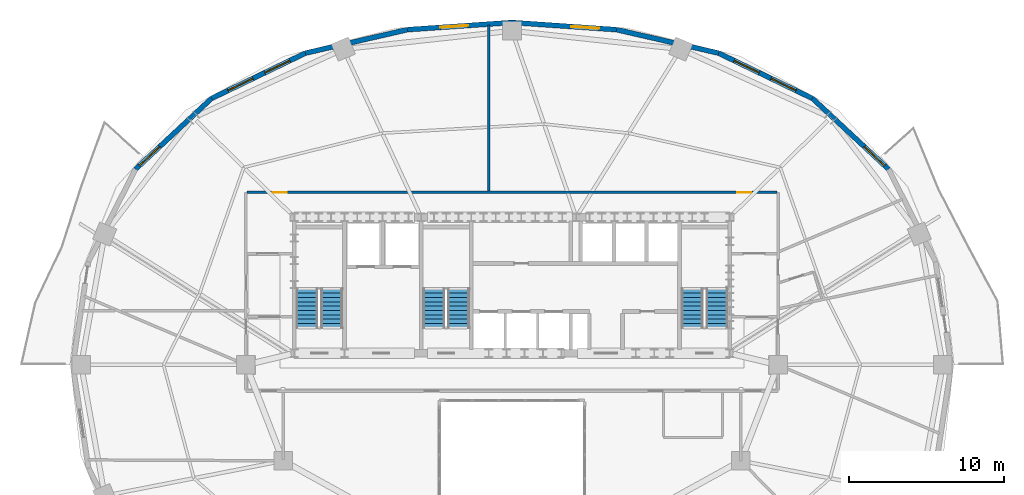
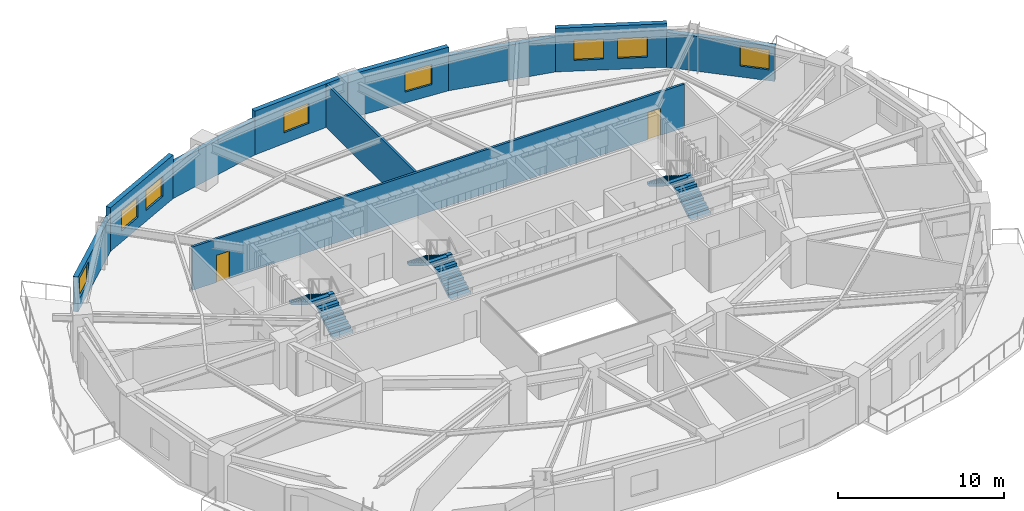
# One storey, part 9 of 12: 10 walls, 8 windows, 6 stair flights, 2 doors, 10 openings, 3 elements without a shape of their own.
"""IFC4 building model written with IfcOpenShell, lengths in metres."""

from ifc_helpers import new_model, si_unit, direction, frame, frame_2d, origin, place, context, subcontext, project, spatial, polyline, rectangle, outline, extrude, material, layer, layer_set, type_object, element, fill, aggregate, save


model = new_model("IFC4")

# Units and contexts
model_context = context("Model", 3, precision=1e-05, world=origin(), true_north=direction((0.0, 1.0)))
body_context = subcontext(model_context, "Body", "Model", "MODEL_VIEW")
ifc_project = project(units=[si_unit("LENGTHUNIT", "METRE"), si_unit("AREAUNIT", "SQUARE_METRE"), si_unit("VOLUMEUNIT", "CUBIC_METRE"), si_unit("PLANEANGLEUNIT", "RADIAN"), si_unit("MASSUNIT", "GRAM", prefix="KILO")], contexts=[model_context])

# Site, building, storey
site_placement = place(None, origin())
site = spatial("IfcSite", under=ifc_project, at=site_placement, CompositionType="ELEMENT")
building_placement = place(site_placement, origin())
building = spatial("IfcBuilding", under=site, at=building_placement, Name="Haldorwick Loom Tower", CompositionType="ELEMENT")
storey_placement = place(building_placement, frame((0.0, 0.0, 117.35009765625)))
storey = spatial("IfcBuildingStorey", under=building, at=storey_placement, Name="L31", CompositionType="ELEMENT", Elevation=117.35009765625)

# Wall, opening, window
ifc_material_1 = material(Name="Pressed Clay Face Brick and Insulated Masonry Backup Assembly", Category="masonry")
ifc_layer_1 = layer(ifc_material_1, 0.320068359375, Name="Pressed Clay Face Brick and Insulated Masonry Backup Assembly", Category="masonry")
ifc_layer_set_1 = layer_set([ifc_layer_1], Name="Pressed Clay Face Brick and Insulated Masonry Backup Assembly")
wall_type_1 = type_object("IfcWallType", Name="ARC-WL-EXT320", PredefinedType="STANDARD", material=ifc_layer_set_1)
wall_1_placement = place(storey_placement, frame((60.338623046875, 38.655517578125, 0.0), z_axis=(0.0, 0.0, 1.0), x_axis=(-0.732137360086, 0.681157020052, 0.0)))
wall_1 = element("IfcWall", 1, at=wall_1_placement, inside=storey, type_object=wall_type_1, Name="L31 Brick Pier and Spandrel Wall 3", PredefinedType="STANDARD", context=body_context, shape_type="SweptSolid", body=[
    extrude(rectangle(XDim=6.709228515625, YDim=0.320068359375, at=frame_2d((3.3544921875, 0.0))), origin(), (0.0, 0.0, 1.0), 2.56884765625),
])
opening_1_placement = place(wall_1_placement, frame((0.340087890625, 0.0, 0.800048828125)))
opening_1 = element("IfcOpeningElement", 2, at=opening_1_placement, cuts=wall_1, Name="Opening W-01", PredefinedType="OPENING", context=body_context, shape_type="SweptSolid", body=[
    extrude(rectangle(XDim=1.800048828125, YDim=1.47998046875, at=frame_2d((0.89990234375, 0.739990234375))), frame((0.0, 0.169921875, 0.0), z_axis=(0.0, -1.0, 0.0), x_axis=(1.0, 0.0, 0.0)), (0.0, 0.0, 1.0), 0.340087890625),
])
ifc_material_2 = material(Name="Triple-Glazed Low-E Argon Insulated Glazing Unit", Category="glass")
window_type = type_object("IfcWindowType", Name="ARC-WIN-W180", PartitioningType="SINGLE_PANEL", PredefinedType="WINDOW", material=ifc_material_2)
window_1_placement = place(opening_1_placement, origin())
window_1 = element("IfcWindow", 3, at=window_1_placement, inside=storey, type_object=window_type, Name="L31 Deep-Set Zone 7A Window 3", OverallHeight=1.47998046875, OverallWidth=1.800048828125, PartitioningType="SINGLE_PANEL", PredefinedType="WINDOW", context=body_context, shape_type="SweptSolid", body=[
    extrude(rectangle(XDim=1.800048828125, YDim=1.47998046875, at=frame_2d((0.89990234375, 0.739990234375))), frame((0.0, 0.030029296875, 0.0), z_axis=(0.0, -1.0, 0.0), x_axis=(1.0, 0.0, 0.0)), (0.0, 0.0, 1.0), 0.06005859375),
])
fill(opening_1, window_1)

# Wall, openings, windows
wall_2_placement = place(storey_placement, frame((55.426513671875, 43.2255859375, 0.0), z_axis=(0.0, 0.0, 1.0), x_axis=(-0.900510094661, 0.434835106004, 0.0)))
wall_2 = element("IfcWall", 4, at=wall_2_placement, inside=storey, type_object=wall_type_1, Name="L31 Brick Pier and Spandrel Wall 4", PredefinedType="STANDARD", context=body_context, shape_type="SweptSolid", body=[
    extrude(rectangle(XDim=6.744873046875, YDim=0.320068359375, at=frame_2d((3.37255859375, 0.0))), origin(), (0.0, 0.0, 1.0), 3.2099609375),
])
opening_2_placement = place(wall_2_placement, frame((1.180908203125, 0.0, 0.800048828125)))
opening_2 = element("IfcOpeningElement", 5, at=opening_2_placement, cuts=wall_2, Name="Opening W-01", PredefinedType="OPENING", context=body_context, shape_type="SweptSolid", body=[
    extrude(rectangle(XDim=1.800048828125, YDim=1.47998046875, at=frame_2d((0.89990234375, 0.739990234375))), frame((0.0, 0.169921875, 0.0), z_axis=(0.0, -1.0, 0.0), x_axis=(1.0, 0.0, 0.0)), (0.0, 0.0, 1.0), 0.340087890625),
])
opening_3_placement = place(wall_2_placement, frame((3.8212890625, 0.0, 0.800048828125)))
opening_3 = element("IfcOpeningElement", 6, at=opening_3_placement, cuts=wall_2, Name="Opening W-01", PredefinedType="OPENING", context=body_context, shape_type="SweptSolid", body=[
    extrude(rectangle(XDim=1.800048828125, YDim=1.47998046875, at=frame_2d((0.89990234375, 0.739990234375))), frame((0.0, 0.169921875, 0.0), z_axis=(0.0, -1.0, 0.0), x_axis=(1.0, 0.0, 0.0)), (0.0, 0.0, 1.0), 0.340087890625),
])
window_2_placement = place(opening_2_placement, origin())
window_2 = element("IfcWindow", 7, at=window_2_placement, inside=storey, type_object=window_type, Name="L31 Deep-Set Zone 7A Window 4", OverallHeight=1.47998046875, OverallWidth=1.800048828125, PartitioningType="SINGLE_PANEL", PredefinedType="WINDOW", context=body_context, shape_type="SweptSolid", body=[
    extrude(rectangle(XDim=1.800048828125, YDim=1.47998046875, at=frame_2d((0.89990234375, 0.739990234375))), frame((0.0, 0.030029296875, 0.0), z_axis=(0.0, -1.0, 0.0), x_axis=(1.0, 0.0, 0.0)), (0.0, 0.0, 1.0), 0.06005859375),
])
fill(opening_2, window_2)
window_3_placement = place(opening_3_placement, origin())
window_3 = element("IfcWindow", 8, at=window_3_placement, inside=storey, type_object=window_type, Name="L31 Deep-Set Zone 7A Window 4", OverallHeight=1.47998046875, OverallWidth=1.800048828125, PartitioningType="SINGLE_PANEL", PredefinedType="WINDOW", context=body_context, shape_type="SweptSolid", body=[
    extrude(rectangle(XDim=1.800048828125, YDim=1.47998046875, at=frame_2d((0.89990234375, 0.739990234375))), frame((0.0, 0.030029296875, 0.0), z_axis=(0.0, -1.0, 0.0), x_axis=(1.0, 0.0, 0.0)), (0.0, 0.0, 1.0), 0.06005859375),
])
fill(opening_3, window_3)

# Wall
wall_3_placement = place(storey_placement, frame((49.352783203125, 46.158447265625, 0.0), z_axis=(0.0, 0.0, 1.0), x_axis=(-0.974584177714, 0.224021607329, 0.0)))
element("IfcWall", 9, at=wall_3_placement, inside=storey, type_object=wall_type_1, Name="L31 Brick Pier and Spandrel Wall 5", PredefinedType="STANDARD", context=body_context, shape_type="SweptSolid", body=[
    extrude(rectangle(XDim=6.767822265625, YDim=0.320068359375, at=frame_2d((3.3837890625, 0.0))), origin(), (0.0, 0.0, 1.0), 2.56884765625),
])

# Wall, opening, window
wall_4_placement = place(storey_placement, frame((42.757080078125, 47.674560546875, 0.0), z_axis=(0.0, 0.0, 1.0), x_axis=(-0.997651949344, 0.068487867318, 0.0)))
wall_4 = element("IfcWall", 10, at=wall_4_placement, inside=storey, type_object=wall_type_1, Name="L31 Brick Pier and Spandrel Wall 6", PredefinedType="STANDARD", context=body_context, shape_type="SweptSolid", body=[
    extrude(rectangle(XDim=6.77294921875, YDim=0.320068359375, at=frame_2d((3.386474609375, 0.0))), origin(), (0.0, 0.0, 1.0), 3.2099609375),
])
opening_4_placement = place(wall_4_placement, frame((1.1318359375, 0.0, 0.800048828125)))
opening_4 = element("IfcOpeningElement", 11, at=opening_4_placement, cuts=wall_4, Name="Opening W-01", PredefinedType="OPENING", context=body_context, shape_type="SweptSolid", body=[
    extrude(rectangle(XDim=1.800048828125, YDim=1.47998046875, at=frame_2d((0.89990234375, 0.739990234375))), frame((0.0, 0.169921875, 0.0), z_axis=(0.0, -1.0, 0.0), x_axis=(1.0, 0.0, 0.0)), (0.0, 0.0, 1.0), 0.340087890625),
])
window_4_placement = place(opening_4_placement, origin())
window_4 = element("IfcWindow", 12, at=window_4_placement, inside=storey, type_object=window_type, Name="L31 Deep-Set Zone 7A Window 6", OverallHeight=1.47998046875, OverallWidth=1.800048828125, PartitioningType="SINGLE_PANEL", PredefinedType="WINDOW", context=body_context, shape_type="SweptSolid", body=[
    extrude(rectangle(XDim=1.800048828125, YDim=1.47998046875, at=frame_2d((0.89990234375, 0.739990234375))), frame((0.0, 0.030029296875, 0.0), z_axis=(0.0, -1.0, 0.0), x_axis=(1.0, 0.0, 0.0)), (0.0, 0.0, 1.0), 0.06005859375),
])
fill(opening_4, window_4)

wall_5_placement = place(storey_placement, frame((36.0, 48.138427734375, 0.0), z_axis=(0.0, 0.0, 1.0), x_axis=(-0.997651949344, -0.068487867318, 0.0)))
wall_5 = element("IfcWall", 13, at=wall_5_placement, inside=storey, type_object=wall_type_1, Name="L31 Brick Pier and Spandrel Wall 7", PredefinedType="STANDARD", context=body_context, shape_type="SweptSolid", body=[
    extrude(rectangle(XDim=6.77294921875, YDim=0.320068359375, at=frame_2d((3.386474609375, 0.0))), origin(), (0.0, 0.0, 1.0), 3.2099609375),
])
opening_5_placement = place(wall_5_placement, frame((2.84423828125, 0.0, 0.800048828125)))
opening_5 = element("IfcOpeningElement", 14, at=opening_5_placement, cuts=wall_5, Name="Opening W-01", PredefinedType="OPENING", context=body_context, shape_type="SweptSolid", body=[
    extrude(rectangle(XDim=1.800048828125, YDim=1.47998046875, at=frame_2d((0.89990234375, 0.739990234375))), frame((0.0, 0.169921875, 0.0), z_axis=(0.0, -1.0, 0.0), x_axis=(1.0, 0.0, 0.0)), (0.0, 0.0, 1.0), 0.340087890625),
])
window_5_placement = place(opening_5_placement, origin())
window_5 = element("IfcWindow", 15, at=window_5_placement, inside=storey, type_object=window_type, Name="L31 Deep-Set Zone 7A Window 7", OverallHeight=1.47998046875, OverallWidth=1.800048828125, PartitioningType="SINGLE_PANEL", PredefinedType="WINDOW", context=body_context, shape_type="SweptSolid", body=[
    extrude(rectangle(XDim=1.800048828125, YDim=1.47998046875, at=frame_2d((0.89990234375, 0.739990234375))), frame((0.0, 0.030029296875, 0.0), z_axis=(0.0, -1.0, 0.0), x_axis=(1.0, 0.0, 0.0)), (0.0, 0.0, 1.0), 0.06005859375),
])
fill(opening_5, window_5)

# Wall
wall_6_placement = place(storey_placement, frame((29.242919921875, 47.674560546875, 0.0), z_axis=(0.0, 0.0, 1.0), x_axis=(-0.974584177714, -0.224021607329, 0.0)))
element("IfcWall", 16, at=wall_6_placement, inside=storey, type_object=wall_type_1, Name="L31 Brick Pier and Spandrel Wall 8", PredefinedType="STANDARD", context=body_context, shape_type="SweptSolid", body=[
    extrude(rectangle(XDim=6.767822265625, YDim=0.320068359375, at=frame_2d((3.3837890625, 0.0))), origin(), (0.0, 0.0, 1.0), 2.56884765625),
])

# Wall, openings, windows
wall_7_placement = place(storey_placement, frame((22.647216796875, 46.158447265625, 0.0), z_axis=(0.0, 0.0, 1.0), x_axis=(-0.900510094661, -0.434835106004, 0.0)))
wall_7 = element("IfcWall", 17, at=wall_7_placement, inside=storey, type_object=wall_type_1, Name="L31 Brick Pier and Spandrel Wall 9", PredefinedType="STANDARD", context=body_context, shape_type="SweptSolid", body=[
    extrude(rectangle(XDim=6.744873046875, YDim=0.320068359375, at=frame_2d((3.37255859375, 0.0))), origin(), (0.0, 0.0, 1.0), 3.2099609375),
])
opening_6_placement = place(wall_7_placement, frame((1.123291015625, 0.0, 0.800048828125)))
opening_6 = element("IfcOpeningElement", 18, at=opening_6_placement, cuts=wall_7, Name="Opening W-01", PredefinedType="OPENING", context=body_context, shape_type="SweptSolid", body=[
    extrude(rectangle(XDim=1.800048828125, YDim=1.47998046875, at=frame_2d((0.89990234375, 0.739990234375))), frame((0.0, 0.169921875, 0.0), z_axis=(0.0, -1.0, 0.0), x_axis=(1.0, 0.0, 0.0)), (0.0, 0.0, 1.0), 0.340087890625),
])
opening_7_placement = place(wall_7_placement, frame((3.763916015625, 0.0, 0.800048828125)))
opening_7 = element("IfcOpeningElement", 19, at=opening_7_placement, cuts=wall_7, Name="Opening W-01", PredefinedType="OPENING", context=body_context, shape_type="SweptSolid", body=[
    extrude(rectangle(XDim=1.800048828125, YDim=1.47998046875, at=frame_2d((0.89990234375, 0.739990234375))), frame((0.0, 0.169921875, 0.0), z_axis=(0.0, -1.0, 0.0), x_axis=(1.0, 0.0, 0.0)), (0.0, 0.0, 1.0), 0.340087890625),
])
window_6_placement = place(opening_6_placement, origin())
window_6 = element("IfcWindow", 20, at=window_6_placement, inside=storey, type_object=window_type, Name="L31 Deep-Set Zone 7A Window 9", OverallHeight=1.47998046875, OverallWidth=1.800048828125, PartitioningType="SINGLE_PANEL", PredefinedType="WINDOW", context=body_context, shape_type="SweptSolid", body=[
    extrude(rectangle(XDim=1.800048828125, YDim=1.47998046875, at=frame_2d((0.89990234375, 0.739990234375))), frame((0.0, 0.030029296875, 0.0), z_axis=(0.0, -1.0, 0.0), x_axis=(1.0, 0.0, 0.0)), (0.0, 0.0, 1.0), 0.06005859375),
])
fill(opening_6, window_6)
window_7_placement = place(opening_7_placement, origin())
window_7 = element("IfcWindow", 21, at=window_7_placement, inside=storey, type_object=window_type, Name="L31 Deep-Set Zone 7A Window 9", OverallHeight=1.47998046875, OverallWidth=1.800048828125, PartitioningType="SINGLE_PANEL", PredefinedType="WINDOW", context=body_context, shape_type="SweptSolid", body=[
    extrude(rectangle(XDim=1.800048828125, YDim=1.47998046875, at=frame_2d((0.89990234375, 0.739990234375))), frame((0.0, 0.030029296875, 0.0), z_axis=(0.0, -1.0, 0.0), x_axis=(1.0, 0.0, 0.0)), (0.0, 0.0, 1.0), 0.06005859375),
])
fill(opening_7, window_7)

# Wall, opening, window
wall_8_placement = place(storey_placement, frame((16.573486328125, 43.2255859375, 0.0), z_axis=(0.0, 0.0, 1.0), x_axis=(-0.732137360086, -0.681157020052, 0.0)))
wall_8 = element("IfcWall", 22, at=wall_8_placement, inside=storey, type_object=wall_type_1, Name="L31 Brick Pier and Spandrel Wall 10", PredefinedType="STANDARD", context=body_context, shape_type="SweptSolid", body=[
    extrude(rectangle(XDim=6.709228515625, YDim=0.320068359375, at=frame_2d((3.3544921875, 0.0))), origin(), (0.0, 0.0, 1.0), 2.56884765625),
])
opening_8_placement = place(wall_8_placement, frame((4.569580078125, 0.0, 0.800048828125)))
opening_8 = element("IfcOpeningElement", 23, at=opening_8_placement, cuts=wall_8, Name="Opening W-01", PredefinedType="OPENING", context=body_context, shape_type="SweptSolid", body=[
    extrude(rectangle(XDim=1.800048828125, YDim=1.47998046875, at=frame_2d((0.89990234375, 0.739990234375))), frame((0.0, 0.169921875, 0.0), z_axis=(0.0, -1.0, 0.0), x_axis=(1.0, 0.0, 0.0)), (0.0, 0.0, 1.0), 0.340087890625),
])
window_8_placement = place(opening_8_placement, origin())
window_8 = element("IfcWindow", 24, at=window_8_placement, inside=storey, type_object=window_type, Name="L31 Deep-Set Zone 7A Window 10", OverallHeight=1.47998046875, OverallWidth=1.800048828125, PartitioningType="SINGLE_PANEL", PredefinedType="WINDOW", context=body_context, shape_type="SweptSolid", body=[
    extrude(rectangle(XDim=1.800048828125, YDim=1.47998046875, at=frame_2d((0.89990234375, 0.739990234375))), frame((0.0, 0.030029296875, 0.0), z_axis=(0.0, -1.0, 0.0), x_axis=(1.0, 0.0, 0.0)), (0.0, 0.0, 1.0), 0.06005859375),
])
fill(opening_8, window_8)

# Wall, openings, doors
ifc_material_3 = material(Name="Fire-Rated Type X Gypsum Stud Assembly EI 60")
ifc_layer_2 = layer(ifc_material_3, 0.159912109375, Name="Fire-Rated Type X Gypsum Stud Assembly EI 60")
ifc_layer_set_2 = layer_set([ifc_layer_2], Name="Fire-Rated Type X Gypsum Stud Assembly EI 60")
wall_type_2 = type_object("IfcWallType", Name="ARC-WL-FIRE160", PredefinedType="PARTITIONING", material=ifc_layer_set_2)
wall_9_placement = place(storey_placement, frame((18.883056640625, 37.14990234375, 0.0), z_axis=(0.0, 0.0, 1.0), x_axis=(1.0, 0.0, 0.0)))
wall_9 = element("IfcWall", 25, at=wall_9_placement, inside=storey, type_object=wall_type_2, Name="L31 Residential Fire Partition L31-CR-N0", PredefinedType="PARTITIONING", context=body_context, shape_type="SweptSolid", body=[
    extrude(rectangle(XDim=34.23388671875, YDim=0.159912109375, at=frame_2d((17.116943359375, 0.0))), origin(), (0.0, 0.0, 1.0), 3.19482421875),
])
opening_9_placement = place(wall_9_placement, frame((31.674560546875, 0.0, 0.0)))
opening_9 = element("IfcOpeningElement", 26, at=opening_9_placement, cuts=wall_9, Name="Opening D-FD60A", PredefinedType="OPENING", context=body_context, shape_type="SweptSolid", body=[
    extrude(rectangle(XDim=0.89990234375, YDim=2.0, at=frame_2d((0.449951171875, 1.0))), frame((0.0, 0.08984375, 0.0), z_axis=(0.0, -1.0, 0.0), x_axis=(1.0, 0.0, 0.0)), (0.0, 0.0, 1.0), 0.179931640625),
])
opening_10_placement = place(wall_9_placement, frame((1.659912109375, 0.0, 0.0)))
opening_10 = element("IfcOpeningElement", 27, at=opening_10_placement, cuts=wall_9, Name="Opening D-FD60A", PredefinedType="OPENING", context=body_context, shape_type="SweptSolid", body=[
    extrude(rectangle(XDim=0.89990234375, YDim=2.0, at=frame_2d((0.449951171875, 1.0))), frame((0.0, 0.08984375, 0.0), z_axis=(0.0, -1.0, 0.0), x_axis=(1.0, 0.0, 0.0)), (0.0, 0.0, 1.0), 0.179931640625),
])
ifc_material_4 = material(Name="Hollow Steel Fire Door Assembly", Category="steel")
door_type = type_object("IfcDoorType", Name="ARC-DR-FD60-90", OperationType="NOTDEFINED", PredefinedType="DOOR", material=ifc_material_4)
door_1_placement = place(opening_9_placement, frame((0.89990234375, 0.0, 0.0), z_axis=(0.0, 0.0, 1.0), x_axis=(-1.0, 0.0, 0.0)))
door_1 = element("IfcDoor", 28, at=door_1_placement, inside=storey, type_object=door_type, Name="L31 Tenant Seminar Meeting Room 9 to L31 North Residential Corridor Door", OperationType="SINGLE_SWING_RIGHT", OverallHeight=2.0, OverallWidth=0.89990234375, PredefinedType="DOOR", context=body_context, shape_type="SweptSolid", body=[
    extrude(rectangle(XDim=0.89990234375, YDim=2.0, at=frame_2d((0.449951171875, 1.0))), frame((0.0, 0.02490234375, 0.0), z_axis=(0.0, -1.0, 0.0), x_axis=(1.0, 0.0, 0.0)), (0.0, 0.0, 1.0), 0.050048828125),
])
fill(opening_9, door_1)
door_2_placement = place(opening_10_placement, frame((0.89990234375, 0.0, 0.0), z_axis=(0.0, 0.0, 1.0), x_axis=(-1.0, 0.0, 0.0)))
door_2 = element("IfcDoor", 29, at=door_2_placement, inside=storey, type_object=door_type, Name="L31 Tenant Seminar Meeting Room 6 to L31 North Residential Corridor Door", OperationType="SINGLE_SWING_LEFT", OverallHeight=2.0, OverallWidth=0.89990234375, PredefinedType="DOOR", context=body_context, shape_type="SweptSolid", body=[
    extrude(rectangle(XDim=0.89990234375, YDim=2.0, at=frame_2d((0.449951171875, 1.0))), frame((0.0, 0.02490234375, 0.0), z_axis=(0.0, -1.0, 0.0), x_axis=(1.0, 0.0, 0.0)), (0.0, 0.0, 1.0), 0.050048828125),
])
fill(opening_10, door_2)

# Wall
wall_10_placement = place(storey_placement, frame((34.5, 37.23291015625, 0.0), z_axis=(0.0, 0.0, 1.0), x_axis=(0.0, 1.0, 0.0)))
element("IfcWall", 30, at=wall_10_placement, inside=storey, type_object=wall_type_2, Name="L31 Residential Fire Partition L31-NBP-0", PredefinedType="PARTITIONING", context=body_context, shape_type="SweptSolid", body=[
    extrude(rectangle(XDim=10.7373046875, YDim=0.159912109375, at=frame_2d((5.36865234375, 0.0))), origin(), (0.0, 0.0, 1.0), 3.19482421875),
])

# Stair, stair flights
ifc_material_5 = material(Name="Concrete C40 (40 MPa)", Category="concrete")
stair_type = type_object("IfcStairType", Name="STR-STR-CORE", PredefinedType="HALF_TURN_STAIR", material=ifc_material_5)
stair_1_placement = place(storey_placement, origin())
stair_1 = element("IfcStair", 31, at=stair_1_placement, inside=storey, type_object=stair_type, Name="L31 Exit Stair ST-01", PredefinedType="HALF_TURN_STAIR")
stair_flight_type = type_object("IfcStairFlightType", Name="STR-STF-1250", PredefinedType="STRAIGHT", material=ifc_material_5)
stair_flight_1_placement = place(storey_placement, frame((24.35009765625, 28.39990234375, 0.0), z_axis=(0.0, 0.0, 1.0), x_axis=(0.0, 1.0, 0.0)))
stair_flight_1 = element("IfcStairFlight", 32, at=stair_flight_1_placement, type_object=stair_flight_type, Name="ST-01 flight 1", NumberOfRisers=10, NumberOfTreads=9, PredefinedType="STRAIGHT", RiserHeight=0.1725, TreadLength=0.28, context=body_context, shape_type="SweptSolid", body=[
    extrude(outline(polyline([(0.0, 0.0), (0.0, 0.172607421875), (0.280029296875, 0.172607421875), (0.280029296875, 0.344970703125), (0.56005859375, 0.344970703125), (0.56005859375, 0.517578125), (0.840087890625, 0.517578125), (0.840087890625, 0.68994140625), (1.1201171875, 0.68994140625), (1.1201171875, 0.862548828125), (1.39990234375, 0.862548828125), (1.39990234375, 1.034912109375), (1.679931640625, 1.034912109375), (1.679931640625, 1.20751953125), (1.9599609375, 1.20751953125), (1.9599609375, 1.3798828125), (2.239990234375, 1.3798828125), (2.239990234375, 1.552490234375), (2.52001953125, 1.552490234375), (2.52001953125, 1.72509765625), (2.52001953125, 1.37646484375), (0.285888671875, 0.0), (0.0, 0.0)])), frame((0.0, 0.699951171875, 0.0), z_axis=(0.0, -1.0, 0.0), x_axis=(1.0, 0.0, 0.0)), (0.0, 0.0, 1.0), 1.39990234375),
])
stair_flight_2_placement = place(storey_placement, frame((22.75, 30.919921875, 1.724853515625), z_axis=(0.0, 0.0, 1.0), x_axis=(0.0, -1.0, 0.0)))
stair_flight_2 = element("IfcStairFlight", 33, at=stair_flight_2_placement, type_object=stair_flight_type, Name="ST-01 flight 2", NumberOfRisers=10, NumberOfTreads=9, PredefinedType="STRAIGHT", RiserHeight=0.1725, TreadLength=0.28, context=body_context, shape_type="SweptSolid", body=[
    extrude(outline(polyline([(0.0, 0.0), (0.0, 0.172607421875), (0.280029296875, 0.172607421875), (0.280029296875, 0.344970703125), (0.56005859375, 0.344970703125), (0.56005859375, 0.517578125), (0.840087890625, 0.517578125), (0.840087890625, 0.68994140625), (1.1201171875, 0.68994140625), (1.1201171875, 0.862548828125), (1.39990234375, 0.862548828125), (1.39990234375, 1.034912109375), (1.679931640625, 1.034912109375), (1.679931640625, 1.20751953125), (1.9599609375, 1.20751953125), (1.9599609375, 1.3798828125), (2.239990234375, 1.3798828125), (2.239990234375, 1.552490234375), (2.52001953125, 1.552490234375), (2.52001953125, 1.72509765625), (2.52001953125, 1.37646484375), (0.285888671875, 0.0), (0.0, 0.0)])), frame((0.0, 0.699951171875, 0.0), z_axis=(0.0, -1.0, 0.0), x_axis=(1.0, 0.0, 0.0)), (0.0, 0.0, 1.0), 1.39990234375),
])
aggregate(stair_1, [stair_flight_1, stair_flight_2])

stair_2_placement = place(storey_placement, origin())
stair_2 = element("IfcStair", 34, at=stair_2_placement, inside=storey, type_object=stair_type, Name="L31 Exit Stair ST-02", PredefinedType="HALF_TURN_STAIR")
stair_flight_3_placement = place(storey_placement, frame((49.25, 28.39990234375, 0.0), z_axis=(0.0, 0.0, 1.0), x_axis=(0.0, 1.0, 0.0)))
stair_flight_3 = element("IfcStairFlight", 35, at=stair_flight_3_placement, type_object=stair_flight_type, Name="ST-02 flight 1", NumberOfRisers=10, NumberOfTreads=9, PredefinedType="STRAIGHT", RiserHeight=0.1725, TreadLength=0.28, context=body_context, shape_type="SweptSolid", body=[
    extrude(outline(polyline([(0.0, 0.0), (0.0, 0.172607421875), (0.280029296875, 0.172607421875), (0.280029296875, 0.344970703125), (0.56005859375, 0.344970703125), (0.56005859375, 0.517578125), (0.840087890625, 0.517578125), (0.840087890625, 0.68994140625), (1.1201171875, 0.68994140625), (1.1201171875, 0.862548828125), (1.39990234375, 0.862548828125), (1.39990234375, 1.034912109375), (1.679931640625, 1.034912109375), (1.679931640625, 1.20751953125), (1.9599609375, 1.20751953125), (1.9599609375, 1.3798828125), (2.239990234375, 1.3798828125), (2.239990234375, 1.552490234375), (2.52001953125, 1.552490234375), (2.52001953125, 1.72509765625), (2.52001953125, 1.37646484375), (0.285888671875, 0.0), (0.0, 0.0)])), frame((0.0, 0.699951171875, 0.0), z_axis=(0.0, -1.0, 0.0), x_axis=(1.0, 0.0, 0.0)), (0.0, 0.0, 1.0), 1.39990234375),
])
stair_flight_4_placement = place(storey_placement, frame((47.64990234375, 30.919921875, 1.724853515625), z_axis=(0.0, 0.0, 1.0), x_axis=(0.0, -1.0, 0.0)))
stair_flight_4 = element("IfcStairFlight", 36, at=stair_flight_4_placement, type_object=stair_flight_type, Name="ST-02 flight 2", NumberOfRisers=10, NumberOfTreads=9, PredefinedType="STRAIGHT", RiserHeight=0.1725, TreadLength=0.28, context=body_context, shape_type="SweptSolid", body=[
    extrude(outline(polyline([(0.0, 0.0), (0.0, 0.172607421875), (0.280029296875, 0.172607421875), (0.280029296875, 0.344970703125), (0.56005859375, 0.344970703125), (0.56005859375, 0.517578125), (0.840087890625, 0.517578125), (0.840087890625, 0.68994140625), (1.1201171875, 0.68994140625), (1.1201171875, 0.862548828125), (1.39990234375, 0.862548828125), (1.39990234375, 1.034912109375), (1.679931640625, 1.034912109375), (1.679931640625, 1.20751953125), (1.9599609375, 1.20751953125), (1.9599609375, 1.3798828125), (2.239990234375, 1.3798828125), (2.239990234375, 1.552490234375), (2.52001953125, 1.552490234375), (2.52001953125, 1.72509765625), (2.52001953125, 1.37646484375), (0.285888671875, 0.0), (0.0, 0.0)])), frame((0.0, 0.699951171875, 0.0), z_axis=(0.0, -1.0, 0.0), x_axis=(1.0, 0.0, 0.0)), (0.0, 0.0, 1.0), 1.39990234375),
])
aggregate(stair_2, [stair_flight_3, stair_flight_4])

stair_3_placement = place(storey_placement, origin())
stair_3 = element("IfcStair", 37, at=stair_3_placement, inside=storey, type_object=stair_type, Name="L31 Exit Stair ST-03", PredefinedType="HALF_TURN_STAIR")
stair_flight_5_placement = place(storey_placement, frame((32.550048828125, 28.39990234375, 0.0), z_axis=(0.0, 0.0, 1.0), x_axis=(0.0, 1.0, 0.0)))
stair_flight_5 = element("IfcStairFlight", 38, at=stair_flight_5_placement, type_object=stair_flight_type, Name="ST-03 flight 1", NumberOfRisers=10, NumberOfTreads=9, PredefinedType="STRAIGHT", RiserHeight=0.1725, TreadLength=0.28, context=body_context, shape_type="SweptSolid", body=[
    extrude(outline(polyline([(0.0, 0.0), (0.0, 0.172607421875), (0.280029296875, 0.172607421875), (0.280029296875, 0.344970703125), (0.56005859375, 0.344970703125), (0.56005859375, 0.517578125), (0.840087890625, 0.517578125), (0.840087890625, 0.68994140625), (1.1201171875, 0.68994140625), (1.1201171875, 0.862548828125), (1.39990234375, 0.862548828125), (1.39990234375, 1.034912109375), (1.679931640625, 1.034912109375), (1.679931640625, 1.20751953125), (1.9599609375, 1.20751953125), (1.9599609375, 1.3798828125), (2.239990234375, 1.3798828125), (2.239990234375, 1.552490234375), (2.52001953125, 1.552490234375), (2.52001953125, 1.72509765625), (2.52001953125, 1.37646484375), (0.285888671875, 0.0), (0.0, 0.0)])), frame((0.0, 0.699951171875, 0.0), z_axis=(0.0, -1.0, 0.0), x_axis=(1.0, 0.0, 0.0)), (0.0, 0.0, 1.0), 1.39990234375),
])
stair_flight_6_placement = place(storey_placement, frame((30.949951171875, 30.919921875, 1.724853515625), z_axis=(0.0, 0.0, 1.0), x_axis=(0.0, -1.0, 0.0)))
stair_flight_6 = element("IfcStairFlight", 39, at=stair_flight_6_placement, type_object=stair_flight_type, Name="ST-03 flight 2", NumberOfRisers=10, NumberOfTreads=9, PredefinedType="STRAIGHT", RiserHeight=0.1725, TreadLength=0.28, context=body_context, shape_type="SweptSolid", body=[
    extrude(outline(polyline([(0.0, 0.0), (0.0, 0.172607421875), (0.280029296875, 0.172607421875), (0.280029296875, 0.344970703125), (0.56005859375, 0.344970703125), (0.56005859375, 0.517578125), (0.840087890625, 0.517578125), (0.840087890625, 0.68994140625), (1.1201171875, 0.68994140625), (1.1201171875, 0.862548828125), (1.39990234375, 0.862548828125), (1.39990234375, 1.034912109375), (1.679931640625, 1.034912109375), (1.679931640625, 1.20751953125), (1.9599609375, 1.20751953125), (1.9599609375, 1.3798828125), (2.239990234375, 1.3798828125), (2.239990234375, 1.552490234375), (2.52001953125, 1.552490234375), (2.52001953125, 1.72509765625), (2.52001953125, 1.37646484375), (0.285888671875, 0.0), (0.0, 0.0)])), frame((0.0, 0.699951171875, 0.0), z_axis=(0.0, -1.0, 0.0), x_axis=(1.0, 0.0, 0.0)), (0.0, 0.0, 1.0), 1.39990234375),
])
aggregate(stair_3, [stair_flight_5, stair_flight_6])

save(model, "model.ifc")
